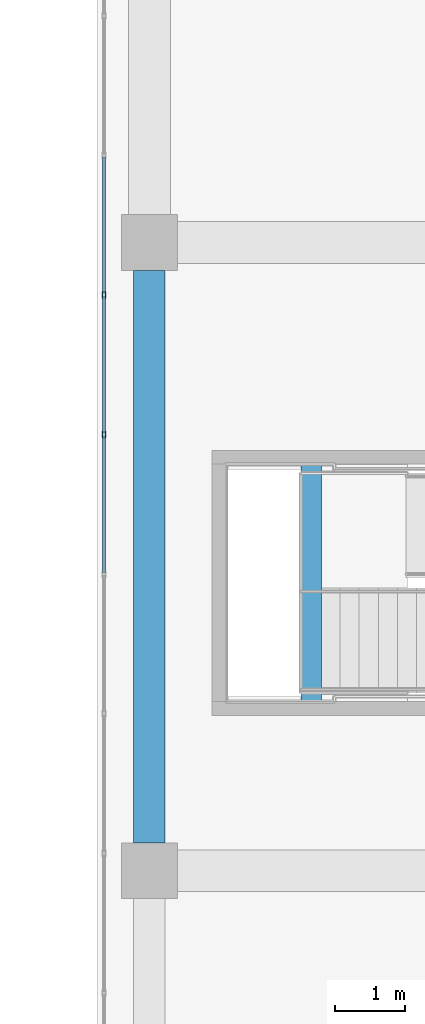
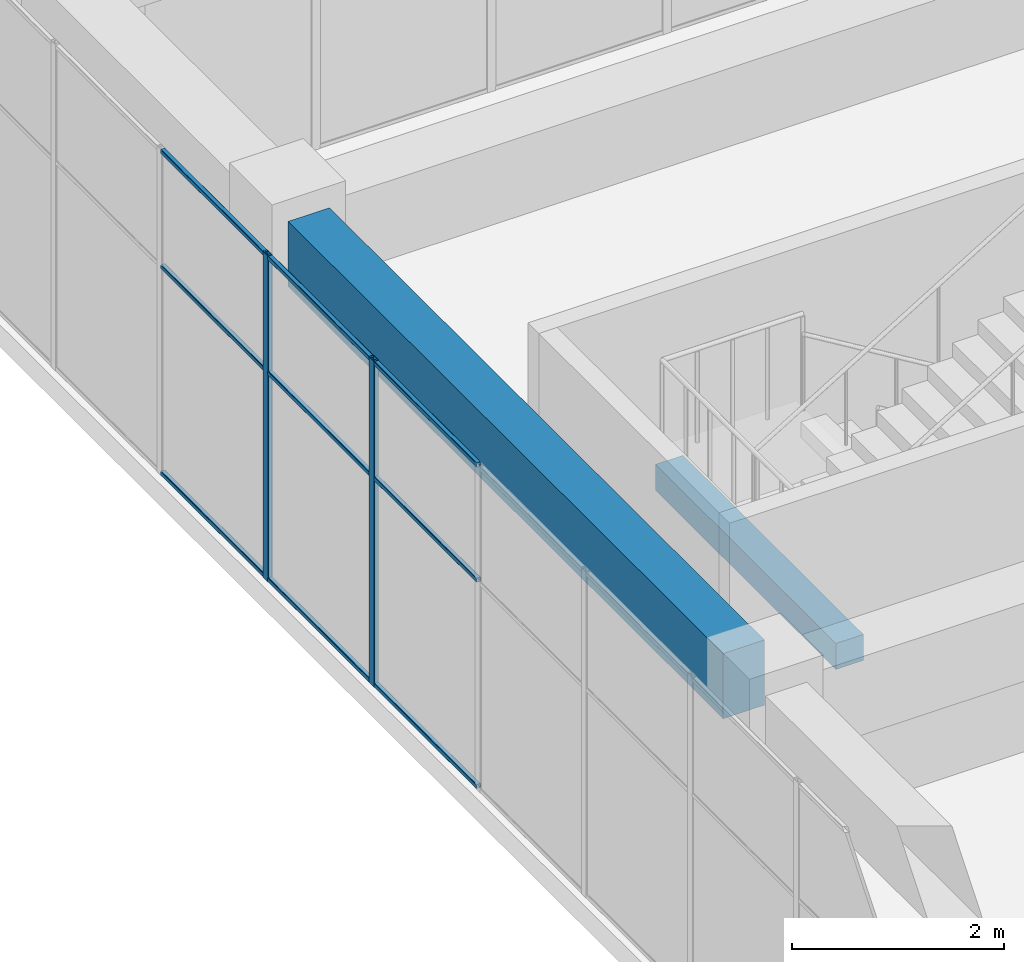
# One storey, part 30 of 66: 11 members, 2 beams, 1 element without a shape of its own.
"""IFC4 building model written with IfcOpenShell, lengths in metres."""

from ifc_helpers import new_model, si_unit, direction, frame, origin, origin_2d, place, context, subcontext, project, spatial, rectangle, hollow_rectangle, extrude, material, layer, layer_set, material_profile, profile_set, type_object, element, aggregate, save


model = new_model("IFC4")

# Units and contexts
model_context = context("Model", 3, precision=1e-05, world=origin(), true_north=direction((0.0, 1.0)))
body_context = subcontext(model_context, "Body", "Model", "MODEL_VIEW")
ifc_project = project(units=[si_unit("LENGTHUNIT", "METRE"), si_unit("AREAUNIT", "SQUARE_METRE"), si_unit("VOLUMEUNIT", "CUBIC_METRE"), si_unit("PLANEANGLEUNIT", "RADIAN"), si_unit("MASSUNIT", "GRAM", prefix="KILO")], contexts=[model_context])

# Site, building, storey
site_placement = place(None, origin())
site = spatial("IfcSite", under=ifc_project, at=site_placement, CompositionType="ELEMENT")
building_placement = place(site_placement, origin())
building = spatial("IfcBuilding", under=site, at=building_placement, Name="Tuart Plaza Theatre", CompositionType="ELEMENT")
storey_placement = place(building_placement, frame((0.0, 0.0, 5.5)))
storey = spatial("IfcBuildingStorey", under=building, at=storey_placement, Name="L01", CompositionType="ELEMENT", Elevation=5.5)

# Beams
ifc_material_1 = material(Name="Concrete N40 (40 MPa)", Category="concrete")
ifc_material_profile_1 = material_profile(ifc_material_1, rectangle(XDim=0.300048828125, YDim=0.300048828125, at=origin_2d()), Name="BEAM 300x300 Concrete N40 (40 MPa)")
ifc_profile_set_1 = profile_set([ifc_material_profile_1], Name="Concrete N40 (40 MPa)")
beam_type_1 = type_object("IfcBeamType", Name="BEAM 300x300 Concrete N40 (40 MPa)", PredefinedType="BEAM", material=ifc_profile_set_1)
beam_1_placement = place(storey_placement, frame((116.320068359375, 88.824951171875, 1.64990234375), z_axis=(0.0, -1.0, 0.0), x_axis=(1.0, 0.0, 0.0)))
element("IfcBeam", 1, at=beam_1_placement, inside=storey, type_object=beam_type_1, Name="RB529", PredefinedType="BEAM", context=body_context, shape_type="SweptSolid", body=[
    extrude(rectangle(XDim=0.300048828125, YDim=0.300048828125, at=origin_2d()), origin(), (0.0, 0.0, 1.0), 3.39990234375),
])
ifc_material_2 = material(Name="Concrete N40 (40 MPa)", Category="concrete")
ifc_material_profile_2 = material_profile(ifc_material_2, rectangle(XDim=0.449951171875, YDim=0.75, at=origin_2d()), Name="BEAM 450x750 Concrete N40 (40 MPa)")
ifc_profile_set_2 = profile_set([ifc_material_profile_2], Name="Concrete N40 (40 MPa)")
beam_type_2 = type_object("IfcBeamType", Name="BEAM 450x750 Concrete N40 (40 MPa)", PredefinedType="BEAM", material=ifc_profile_set_2)
beam_2_placement = place(storey_placement, frame((114.0, 83.39990234375, 3.375), z_axis=(0.0, 1.0, 0.0), x_axis=(-1.0, 0.0, 0.0)))
element("IfcBeam", 2, at=beam_2_placement, inside=storey, type_object=beam_type_2, Name="RB168", PredefinedType="BEAM", context=body_context, shape_type="SweptSolid", body=[
    extrude(rectangle(XDim=0.449951171875, YDim=0.75, at=origin_2d()), origin(), (0.0, 0.0, 1.0), 8.2001953125),
])

# Curtain wall, members
ifc_material_3 = material(Name="Aluminium and glass", Category="aluminium")
ifc_layer = layer(ifc_material_3, 0.10009765625)
ifc_layer_set = layer_set([ifc_layer], Name="CURTAIN WALL 2000 module")
curtain_wall_type = type_object("IfcCurtainWallType", Name="CURTAIN WALL 2000 module", PredefinedType="NOTDEFINED", material=ifc_layer_set)
curtain_wall_placement = place(storey_placement, origin())
curtain_wall = element("IfcCurtainWall", 3, at=curtain_wall_placement, inside=storey, type_object=curtain_wall_type, Name="CW73", PredefinedType="NOTDEFINED")
ifc_material_4 = material(Name="Aluminium 6063-T5", Category="aluminium")
ifc_material_profile_3 = material_profile(ifc_material_4, hollow_rectangle(XDim=0.050048828125, YDim=0.10009765625, WallThickness=0.00390625, InnerFilletRadius=0.00390625, OuterFilletRadius=0.008056640625, at=origin_2d()), Name="RHS 100x50x4")
ifc_profile_set_3 = profile_set([ifc_material_profile_3], Name="Aluminium 6063-T5")
member_type_1 = type_object("IfcMemberType", Name="MULLION RHS 100x50x4", PredefinedType="MULLION", material=ifc_profile_set_3)
member_1_placement = place(storey_placement, frame((113.35009765625, 91.25, 0.0), z_axis=(0.0, 0.0, 1.0), x_axis=(1.0, 0.0, 0.0)))
member_1 = element("IfcMember", 4, at=member_1_placement, type_object=member_type_1, Name="CW73 mullion 4", PredefinedType="MULLION", context=body_context, shape_type="SweptSolid", body=[
    extrude(hollow_rectangle(XDim=0.050048828125, YDim=0.10009765625, WallThickness=0.00390625, InnerFilletRadius=0.00390625, OuterFilletRadius=0.008056640625, at=origin_2d()), origin(), (0.0, 0.0, 1.0), 3.75),
])
member_2_placement = place(storey_placement, frame((113.35009765625, 89.25, 0.0), z_axis=(0.0, 0.0, 1.0), x_axis=(1.0, 0.0, 0.0)))
member_2 = element("IfcMember", 5, at=member_2_placement, type_object=member_type_1, Name="CW73 mullion 5", PredefinedType="MULLION", context=body_context, shape_type="SweptSolid", body=[
    extrude(hollow_rectangle(XDim=0.050048828125, YDim=0.10009765625, WallThickness=0.00390625, InnerFilletRadius=0.00390625, OuterFilletRadius=0.008056640625, at=origin_2d()), origin(), (0.0, 0.0, 1.0), 3.75),
])
ifc_material_5 = material(Name="Aluminium 6063-T5", Category="aluminium")
ifc_material_profile_4 = material_profile(ifc_material_5, hollow_rectangle(XDim=0.050048828125, YDim=0.050048828125, WallThickness=0.00390625, InnerFilletRadius=0.00390625, OuterFilletRadius=0.008056640625, at=origin_2d()), Name="RHS 50x50x4")
ifc_profile_set_4 = profile_set([ifc_material_profile_4], Name="Aluminium 6063-T5")
member_type_2 = type_object("IfcMemberType", Name="TRANSOM RHS 50x50x4", PredefinedType="USERDEFINED", material=ifc_profile_set_4)
member_3_placement = place(storey_placement, frame((113.35009765625, 93.22509765625, 0.02490234375), z_axis=(0.0, -1.0, 0.0), x_axis=(1.0, 0.0, 0.0)))
member_3 = element("IfcMember", 6, at=member_3_placement, type_object=member_type_2, Name="CW73 transom 3.1", ObjectType="TRANSOM", PredefinedType="USERDEFINED", context=body_context, shape_type="SweptSolid", body=[
    extrude(hollow_rectangle(XDim=0.050048828125, YDim=0.050048828125, WallThickness=0.00390625, InnerFilletRadius=0.00390625, OuterFilletRadius=0.008056640625, at=origin_2d()), origin(), (0.0, 0.0, 1.0), 1.9501953125),
])
member_4_placement = place(storey_placement, frame((113.35009765625, 93.22509765625, 2.39990234375), z_axis=(0.0, -1.0, 0.0), x_axis=(1.0, 0.0, 0.0)))
member_4 = element("IfcMember", 7, at=member_4_placement, type_object=member_type_2, Name="CW73 transom 3.2", ObjectType="TRANSOM", PredefinedType="USERDEFINED", context=body_context, shape_type="SweptSolid", body=[
    extrude(hollow_rectangle(XDim=0.050048828125, YDim=0.050048828125, WallThickness=0.00390625, InnerFilletRadius=0.00390625, OuterFilletRadius=0.008056640625, at=origin_2d()), origin(), (0.0, 0.0, 1.0), 1.9501953125),
])
member_5_placement = place(storey_placement, frame((113.35009765625, 93.22509765625, 3.72509765625), z_axis=(0.0, -1.0, 0.0), x_axis=(1.0, 0.0, 0.0)))
member_5 = element("IfcMember", 8, at=member_5_placement, type_object=member_type_2, Name="CW73 transom 3.3", ObjectType="TRANSOM", PredefinedType="USERDEFINED", context=body_context, shape_type="SweptSolid", body=[
    extrude(hollow_rectangle(XDim=0.050048828125, YDim=0.050048828125, WallThickness=0.00390625, InnerFilletRadius=0.00390625, OuterFilletRadius=0.008056640625, at=origin_2d()), origin(), (0.0, 0.0, 1.0), 1.9501953125),
])
member_6_placement = place(storey_placement, frame((113.35009765625, 91.22509765625, 0.02490234375), z_axis=(0.0, -1.0, 0.0), x_axis=(1.0, 0.0, 0.0)))
member_6 = element("IfcMember", 9, at=member_6_placement, type_object=member_type_2, Name="CW73 transom 4.1", ObjectType="TRANSOM", PredefinedType="USERDEFINED", context=body_context, shape_type="SweptSolid", body=[
    extrude(hollow_rectangle(XDim=0.050048828125, YDim=0.050048828125, WallThickness=0.00390625, InnerFilletRadius=0.00390625, OuterFilletRadius=0.008056640625, at=origin_2d()), origin(), (0.0, 0.0, 1.0), 1.9501953125),
])
member_7_placement = place(storey_placement, frame((113.35009765625, 91.22509765625, 2.39990234375), z_axis=(0.0, -1.0, 0.0), x_axis=(1.0, 0.0, 0.0)))
member_7 = element("IfcMember", 10, at=member_7_placement, type_object=member_type_2, Name="CW73 transom 4.2", ObjectType="TRANSOM", PredefinedType="USERDEFINED", context=body_context, shape_type="SweptSolid", body=[
    extrude(hollow_rectangle(XDim=0.050048828125, YDim=0.050048828125, WallThickness=0.00390625, InnerFilletRadius=0.00390625, OuterFilletRadius=0.008056640625, at=origin_2d()), origin(), (0.0, 0.0, 1.0), 1.9501953125),
])
member_8_placement = place(storey_placement, frame((113.35009765625, 91.22509765625, 3.72509765625), z_axis=(0.0, -1.0, 0.0), x_axis=(1.0, 0.0, 0.0)))
member_8 = element("IfcMember", 11, at=member_8_placement, type_object=member_type_2, Name="CW73 transom 4.3", ObjectType="TRANSOM", PredefinedType="USERDEFINED", context=body_context, shape_type="SweptSolid", body=[
    extrude(hollow_rectangle(XDim=0.050048828125, YDim=0.050048828125, WallThickness=0.00390625, InnerFilletRadius=0.00390625, OuterFilletRadius=0.008056640625, at=origin_2d()), origin(), (0.0, 0.0, 1.0), 1.9501953125),
])
member_9_placement = place(storey_placement, frame((113.35009765625, 89.22509765625, 0.02490234375), z_axis=(0.0, -1.0, 0.0), x_axis=(1.0, 0.0, 0.0)))
member_9 = element("IfcMember", 12, at=member_9_placement, type_object=member_type_2, Name="CW73 transom 5.1", ObjectType="TRANSOM", PredefinedType="USERDEFINED", context=body_context, shape_type="SweptSolid", body=[
    extrude(hollow_rectangle(XDim=0.050048828125, YDim=0.050048828125, WallThickness=0.00390625, InnerFilletRadius=0.00390625, OuterFilletRadius=0.008056640625, at=origin_2d()), origin(), (0.0, 0.0, 1.0), 1.9501953125),
])
member_10_placement = place(storey_placement, frame((113.35009765625, 89.22509765625, 2.39990234375), z_axis=(0.0, -1.0, 0.0), x_axis=(1.0, 0.0, 0.0)))
member_10 = element("IfcMember", 13, at=member_10_placement, type_object=member_type_2, Name="CW73 transom 5.2", ObjectType="TRANSOM", PredefinedType="USERDEFINED", context=body_context, shape_type="SweptSolid", body=[
    extrude(hollow_rectangle(XDim=0.050048828125, YDim=0.050048828125, WallThickness=0.00390625, InnerFilletRadius=0.00390625, OuterFilletRadius=0.008056640625, at=origin_2d()), origin(), (0.0, 0.0, 1.0), 1.9501953125),
])
member_11_placement = place(storey_placement, frame((113.35009765625, 89.22509765625, 3.72509765625), z_axis=(0.0, -1.0, 0.0), x_axis=(1.0, 0.0, 0.0)))
member_11 = element("IfcMember", 14, at=member_11_placement, type_object=member_type_2, Name="CW73 transom 5.3", ObjectType="TRANSOM", PredefinedType="USERDEFINED", context=body_context, shape_type="SweptSolid", body=[
    extrude(hollow_rectangle(XDim=0.050048828125, YDim=0.050048828125, WallThickness=0.00390625, InnerFilletRadius=0.00390625, OuterFilletRadius=0.008056640625, at=origin_2d()), origin(), (0.0, 0.0, 1.0), 1.9501953125),
])
aggregate(curtain_wall, [member_1, member_2, member_3, member_4, member_5, member_6, member_7, member_8, member_9, member_10, member_11])

save(model, "model.ifc")
